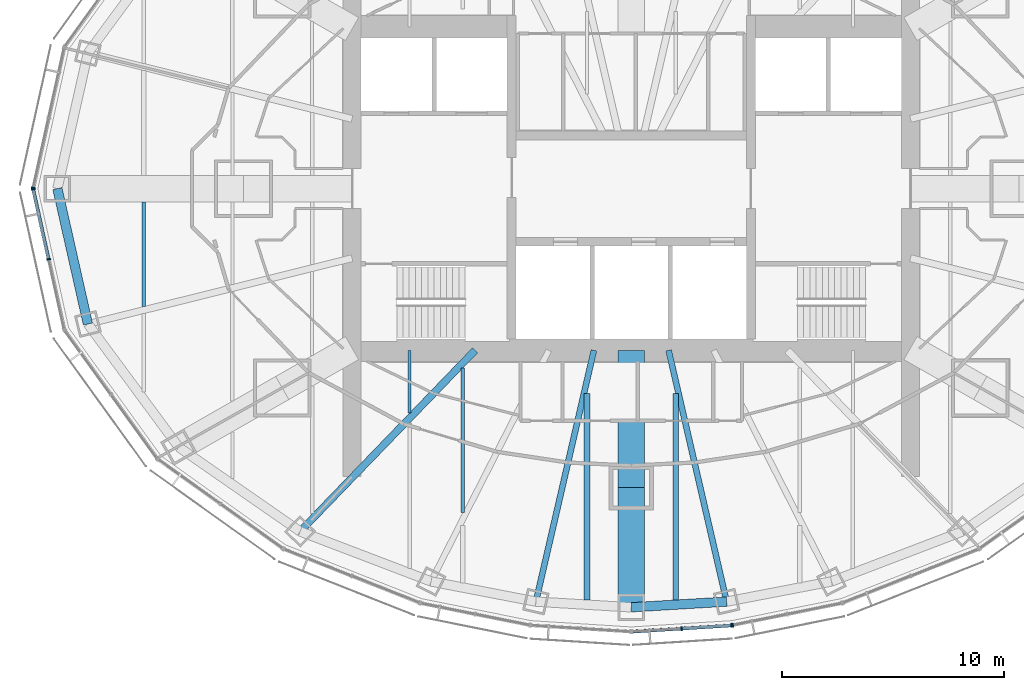
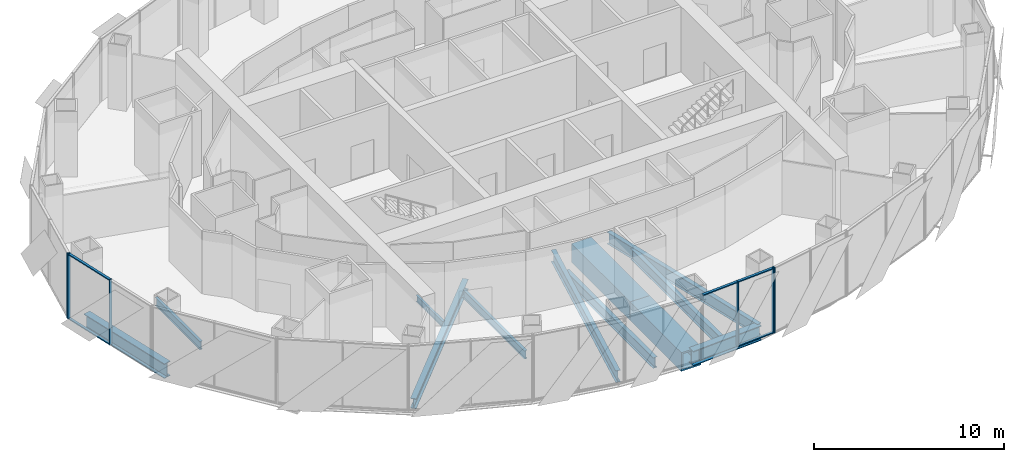
# One storey, part 3 of 17: 12 beams, 11 members, 4 elements without a shape of their own.
"""IFC4 building model written with IfcOpenShell, lengths in metres."""

from ifc_helpers import new_model, si_unit, direction, frame, origin, origin_2d, place, context, subcontext, project, spatial, rectangle, hollow_rectangle, i_section, extrude, material, material_profile, profile_set, type_object, element, aggregate, save


model = new_model("IFC4")

# Units and contexts
model_context = context("Model", 3, precision=1e-05, world=origin(), true_north=direction((0.0, 1.0)))
body_context = subcontext(model_context, "Body", "Model", "MODEL_VIEW")
ifc_project = project(units=[si_unit("LENGTHUNIT", "METRE"), si_unit("AREAUNIT", "SQUARE_METRE"), si_unit("VOLUMEUNIT", "CUBIC_METRE"), si_unit("PLANEANGLEUNIT", "RADIAN"), si_unit("MASSUNIT", "GRAM", prefix="KILO")], contexts=[model_context])

# Site, building, storey
site_placement = place(None, origin())
site = spatial("IfcSite", under=ifc_project, at=site_placement, CompositionType="ELEMENT")
building_placement = place(site_placement, origin())
building = spatial("IfcBuilding", under=site, at=building_placement, Name="Lantaw Convention Tower", CompositionType="ELEMENT")
storey_placement = place(building_placement, frame((0.0, 0.0, 203.199951171875)))
storey = spatial("IfcBuildingStorey", under=building, at=storey_placement, Name="L47", CompositionType="ELEMENT", Elevation=203.199951171875)

# Beams
ifc_material_1 = material(Name="Steel ASTM A992", Category="steel")
ifc_material_profile_1 = material_profile(ifc_material_1, i_section(OverallWidth=0.424072265625, OverallDepth=0.947509765625, WebThickness=0.02392578125, FlangeThickness=0.042724609375, FilletRadius=0.012451171875, at=origin_2d()), Name="W36X302")
ifc_profile_set_1 = profile_set([ifc_material_profile_1], Name="Steel ASTM A992")
beam_type_1 = type_object("IfcBeamType", Name="Beam BC W36X302", PredefinedType="SPANDREL", material=ifc_profile_set_1)
beam_1_placement = place(storey_placement, frame((-25.89990234375, 0.0, -0.623779296875), z_axis=(0.219857926596, -0.97553190215, 0.0), x_axis=(0.97553190215, 0.219857926596, 0.0)))
element("IfcBeam", 1, at=beam_1_placement, inside=storey, type_object=beam_type_1, Name="Belt truss chord 13", PredefinedType="SPANDREL", context=body_context, shape_type="SweptSolid", body=[
    extrude(i_section(OverallWidth=0.424072265625, OverallDepth=0.947509765625, WebThickness=0.02392578125, FlangeThickness=0.042724609375, FilletRadius=0.012451171875, at=origin_2d()), origin(), (0.0, 0.0, 1.0), 6.267333984375),
])
beam_2_placement = place(storey_placement, frame((0.0, -18.89990234375, -0.623779296875), z_axis=(0.998210730897, 0.059794119452, 0.0), x_axis=(-0.059794119452, 0.998210730897, 0.0)))
element("IfcBeam", 2, at=beam_2_placement, inside=storey, type_object=beam_type_1, Name="Belt truss chord 19", PredefinedType="SPANDREL", context=body_context, shape_type="SweptSolid", body=[
    extrude(i_section(OverallWidth=0.424072265625, OverallDepth=0.947509765625, WebThickness=0.02392578125, FlangeThickness=0.042724609375, FilletRadius=0.012451171875, at=origin_2d()), origin(), (0.0, 0.0, 1.0), 4.311767578125),
])
ifc_material_2 = material(Name="Steel EN 10025-3 S460N", Category="steel")
ifc_material_profile_2 = material_profile(ifc_material_2, hollow_rectangle(XDim=1.199951171875, YDim=1.199951171875, WallThickness=0.10009765625, at=origin_2d()), Name="BOX1200X100")
ifc_profile_set_2 = profile_set([ifc_material_profile_2], Name="Steel EN 10025-3 S460N")
beam_type_2 = type_object("IfcBeamType", Name="Beam G BOX1200X100", PredefinedType="BEAM", material=ifc_profile_set_2)
beam_3_placement = place(storey_placement, frame((0.0, -13.5, -0.75), z_axis=(0.0, -1.0, 0.0), x_axis=(1.0, 0.0, 0.0)))
element("IfcBeam", 3, at=beam_3_placement, inside=storey, type_object=beam_type_2, Name="Floor girder on ray 19", PredefinedType="BEAM", context=body_context, shape_type="SweptSolid", body=[
    extrude(hollow_rectangle(XDim=1.199951171875, YDim=1.199951171875, WallThickness=0.10009765625, at=origin_2d()), origin(), (0.0, 0.0, 1.0), 5.39990234375),
])
ifc_material_profile_3 = material_profile(ifc_material_1, i_section(OverallWidth=0.32763671875, OverallDepth=0.64013671875, WebThickness=0.01904296875, FlangeThickness=0.033935546875, FilletRadius=0.0126953125, at=origin_2d()), Name="W24X176")
ifc_profile_set_3 = profile_set([ifc_material_profile_3], Name="Steel ASTM A992")
beam_type_3 = type_object("IfcBeamType", Name="Beam G W24X176", PredefinedType="BEAM", material=ifc_profile_set_3)
beam_4_placement = place(storey_placement, frame((-7.049560546875, -7.300048828125, -0.469970703125), z_axis=(-0.694657766726, -0.719340383356, 0.0), x_axis=(0.719340383356, -0.694657766726, 0.0)))
element("IfcBeam", 4, at=beam_4_placement, inside=storey, type_object=beam_type_3, Name="Floor girder on ray 16", PredefinedType="BEAM", context=body_context, shape_type="SweptSolid", body=[
    extrude(i_section(OverallWidth=0.32763671875, OverallDepth=0.64013671875, WebThickness=0.01904296875, FlangeThickness=0.033935546875, FilletRadius=0.0126953125, at=origin_2d()), origin(), (0.0, 0.0, 1.0), 11.364990234375),
])
ifc_material_profile_4 = material_profile(ifc_material_1, i_section(OverallWidth=0.2666015625, OverallDepth=0.7568359375, WebThickness=0.013916015625, FlangeThickness=0.019287109375, FilletRadius=0.0126953125, at=origin_2d()), Name="W30X108")
ifc_profile_set_4 = profile_set([ifc_material_profile_4], Name="Steel ASTM A992")
beam_type_4 = type_object("IfcBeamType", Name="Beam G W30X108", PredefinedType="BEAM", material=ifc_profile_set_4)
for number, where, z_axis, x_axis, name in (
    (5, (-1.685302734375, -7.300048828125, -0.5283203125), (-0.224962134377, -0.974367506692, 0.0), (0.974367506692, -0.224962134377, 0.0), "Floor girder on ray 18"),
    (6, (1.685302734375, -7.300048828125, -0.5283203125), (0.224962134377, -0.974367506692, 0.0), (0.974367506692, 0.224962134377, 0.0), "Floor girder on ray 20"),
):
    element("IfcBeam", number, at=place(storey_placement, frame(where, z_axis=z_axis, x_axis=x_axis)), inside=storey, type_object=beam_type_4, Name=name, PredefinedType="BEAM", context=body_context, shape_type="SweptSolid", body=[
        extrude(i_section(OverallWidth=0.2666015625, OverallDepth=0.7568359375, WebThickness=0.013916015625, FlangeThickness=0.019287109375, FilletRadius=0.0126953125, at=origin_2d()), origin(), (0.0, 0.0, 1.0), 11.640380859375),
    ])
ifc_material_profile_5 = material_profile(ifc_material_1, i_section(OverallWidth=0.140380859375, OverallDepth=0.40380859375, WebThickness=0.007080078125, FlangeThickness=0.01123046875, FilletRadius=0.01025390625, at=origin_2d()), Name="W16X31")
ifc_profile_set_5 = profile_set([ifc_material_profile_5], Name="Steel ASTM A992")
beam_type_5 = type_object("IfcBeamType", Name="Beam J W16X31", PredefinedType="JOIST", material=ifc_profile_set_5)
beam_5_placement = place(storey_placement, frame((-10.0, -10.119384765625, -0.351806640625), z_axis=(0.0, 1.0, 0.0), x_axis=(-1.0, 0.0, 0.0)))
element("IfcBeam", 7, at=beam_5_placement, inside=storey, type_object=beam_type_5, Name="Floor joist", PredefinedType="JOIST", context=body_context, shape_type="SweptSolid", body=[
    extrude(i_section(OverallWidth=0.140380859375, OverallDepth=0.40380859375, WebThickness=0.007080078125, FlangeThickness=0.01123046875, FilletRadius=0.01025390625, at=origin_2d()), origin(), (0.0, 0.0, 1.0), 2.8193359375),
])
ifc_material_profile_6 = material_profile(ifc_material_1, i_section(OverallWidth=0.1650390625, OverallDepth=0.52587890625, WebThickness=0.0087890625, FlangeThickness=0.011474609375, FilletRadius=0.0126953125, at=origin_2d()), Name="W21X44")
ifc_profile_set_6 = profile_set([ifc_material_profile_6], Name="Steel ASTM A992")
beam_type_6 = type_object("IfcBeamType", Name="Beam J W21X44", PredefinedType="JOIST", material=ifc_profile_set_6)
beam_6_placement = place(storey_placement, frame((-22.0, -5.326904296875, -0.412841796875), z_axis=(0.0, 1.0, 0.0), x_axis=(-1.0, 0.0, 0.0)))
element("IfcBeam", 8, at=beam_6_placement, inside=storey, type_object=beam_type_6, Name="Floor joist", PredefinedType="JOIST", context=body_context, shape_type="SweptSolid", body=[
    extrude(i_section(OverallWidth=0.1650390625, OverallDepth=0.52587890625, WebThickness=0.0087890625, FlangeThickness=0.011474609375, FilletRadius=0.0126953125, at=origin_2d()), origin(), (0.0, 0.0, 1.0), 4.726806640625),
])
beam_7_placement = place(storey_placement, frame((-7.60009765625, -14.6220703125, -0.412841796875), z_axis=(0.0, 1.0, 0.0), x_axis=(-1.0, 0.0, 0.0)))
element("IfcBeam", 9, at=beam_7_placement, inside=storey, type_object=beam_type_6, Name="Floor joist", PredefinedType="JOIST", context=body_context, shape_type="SweptSolid", body=[
    extrude(i_section(OverallWidth=0.1650390625, OverallDepth=0.52587890625, WebThickness=0.0087890625, FlangeThickness=0.011474609375, FilletRadius=0.0126953125, at=origin_2d()), origin(), (0.0, 0.0, 1.0), 6.51611328125),
])
ifc_material_profile_7 = material_profile(ifc_material_1, i_section(OverallWidth=0.25390625, OverallDepth=0.683349609375, WebThickness=0.012451171875, FlangeThickness=0.01904296875, FilletRadius=0.01513671875, at=origin_2d()), Name="W27X94")
ifc_profile_set_7 = profile_set([ifc_material_profile_7], Name="Steel ASTM A992")
beam_type_7 = type_object("IfcBeamType", Name="Beam J W27X94", PredefinedType="JOIST", material=ifc_profile_set_7)
for number, where, z_axis, x_axis, name in (
    (10, (-2.0, -18.567626953125, -0.49169921875), (0.0, 1.0, 0.0), (-1.0, 0.0, 0.0), "Floor joist"),
    (11, (2.0, -18.567626953125, -0.49169921875), (0.0, 1.0, 0.0), (-1.0, 0.0, 0.0), "Floor joist"),
):
    element("IfcBeam", number, at=place(storey_placement, frame(where, z_axis=z_axis, x_axis=x_axis)), inside=storey, type_object=beam_type_7, Name=name, PredefinedType="JOIST", context=body_context, shape_type="SweptSolid", body=[
        extrude(i_section(OverallWidth=0.25390625, OverallDepth=0.683349609375, WebThickness=0.012451171875, FlangeThickness=0.01904296875, FilletRadius=0.01513671875, at=origin_2d()), origin(), (0.0, 0.0, 1.0), 9.311767578125),
    ])
ifc_material_profile_8 = material_profile(ifc_material_2, hollow_rectangle(XDim=1.199951171875, YDim=1.199951171875, WallThickness=0.10009765625, at=origin_2d()), Name="BOX1200X100")
ifc_profile_set_8 = profile_set([ifc_material_profile_8], Name="Steel EN 10025-3 S460N")
beam_type_8 = type_object("IfcBeamType", Name="Beam OC BOX1200X100", PredefinedType="BEAM", material=ifc_profile_set_8)
beam_8_placement = place(storey_placement, frame((0.0, -7.300048828125, -0.75), z_axis=(0.0, -1.0, 0.0), x_axis=(1.0, 0.0, 0.0)))
element("IfcBeam", 12, at=beam_8_placement, inside=storey, type_object=beam_type_8, Name="Outrigger chord on ray 19", PredefinedType="BEAM", context=body_context, shape_type="SweptSolid", body=[
    extrude(hollow_rectangle(XDim=1.199951171875, YDim=1.199951171875, WallThickness=0.10009765625, at=origin_2d()), origin(), (0.0, 0.0, 1.0), 6.199951171875),
])

# Curtain wall, member
ifc_material_3 = material(Name="Aluminium framed curtain wall", Category="aluminium")
curtain_wall_type = type_object("IfcCurtainWallType", Name="Office curtain wall high rise, pale aluminium", PredefinedType="USERDEFINED", material=ifc_material_3)
curtain_wall_1_placement = place(storey_placement, origin())
curtain_wall_1 = element("IfcCurtainWall", 13, at=curtain_wall_1_placement, inside=storey, type_object=curtain_wall_type, Name="Office curtain wall high rise, pale aluminium L47", ObjectType="UNITISED CURTAIN WALL", PredefinedType="USERDEFINED")
ifc_material_4 = material(Name="Aluminium 6063-T6", Category="aluminium")
ifc_material_profile_9 = material_profile(ifc_material_4, rectangle(XDim=0.179931640625, YDim=0.06494140625, at=origin_2d()), Name="CW-O2 mullion 65x180")
ifc_profile_set_9 = profile_set([ifc_material_profile_9], Name="Aluminium 6063-T6")
member_type_1 = type_object("IfcMemberType", Name="CW-O2 mullion 65x180", PredefinedType="MULLION", material=ifc_profile_set_9)
member_1_placement = place(storey_placement, frame((-26.992919921875, 0.03173828125, -0.14990234375), z_axis=(0.0, 0.0, 1.0), x_axis=(0.976417396437, -0.215891333626, 0.0)))
member_1 = element("IfcMember", 14, at=member_1_placement, type_object=member_type_1, Name="CW-O2 mullion 3", PredefinedType="MULLION", context=body_context, shape_type="SweptSolid", body=[
    extrude(rectangle(XDim=0.179931640625, YDim=0.06494140625, at=origin_2d()), origin(), (0.0, 0.0, 1.0), 4.199951171875),
])
aggregate(curtain_wall_1, [member_1])

# Curtain wall, members
curtain_wall_2_placement = place(storey_placement, origin())
curtain_wall_2 = element("IfcCurtainWall", 15, at=curtain_wall_2_placement, inside=storey, type_object=curtain_wall_type, Name="Office curtain wall high rise, pale aluminium L47", ObjectType="UNITISED CURTAIN WALL", PredefinedType="USERDEFINED")
member_2_placement = place(storey_placement, frame((-26.992919921875, -0.03173828125, -0.14990234375), z_axis=(0.0, 0.0, 1.0), x_axis=(0.976417396437, 0.215891333626, 0.0)))
member_2 = element("IfcMember", 16, at=member_2_placement, type_object=member_type_1, Name="CW-O2 mullion 1", PredefinedType="MULLION", context=body_context, shape_type="SweptSolid", body=[
    extrude(rectangle(XDim=0.179931640625, YDim=0.06494140625, at=origin_2d()), origin(), (0.0, 0.0, 1.0), 4.199951171875),
])
member_3_placement = place(storey_placement, frame((-26.294677734375, -3.190185546875, -0.14990234375), z_axis=(0.0, 0.0, 1.0), x_axis=(0.976417396437, 0.215891333626, 0.0)))
member_3 = element("IfcMember", 17, at=member_3_placement, type_object=member_type_1, Name="CW-O2 mullion 2", PredefinedType="MULLION", context=body_context, shape_type="SweptSolid", body=[
    extrude(rectangle(XDim=0.179931640625, YDim=0.06494140625, at=origin_2d()), origin(), (0.0, 0.0, 1.0), 4.199951171875),
])

curtain_wall_3_placement = place(storey_placement, origin())
curtain_wall_3 = element("IfcCurtainWall", 18, at=curtain_wall_3_placement, inside=storey, type_object=curtain_wall_type, Name="Office curtain wall high rise, pale aluminium L47", ObjectType="UNITISED CURTAIN WALL", PredefinedType="USERDEFINED")
member_4_placement = place(storey_placement, frame((2.275634765625, -19.85693359375, -0.14990234375), z_axis=(0.0, 0.0, 1.0), x_axis=(-0.062757983884, 0.998028774865, 0.0)))
member_4 = element("IfcMember", 19, at=member_4_placement, type_object=member_type_1, Name="CW-O2 mullion 2", PredefinedType="MULLION", context=body_context, shape_type="SweptSolid", body=[
    extrude(rectangle(XDim=0.179931640625, YDim=0.06494140625, at=origin_2d()), origin(), (0.0, 0.0, 1.0), 4.199951171875),
])
member_5_placement = place(storey_placement, frame((4.518798828125, -19.7158203125, -0.14990234375), z_axis=(0.0, 0.0, 1.0), x_axis=(-0.062757983884, 0.998028774865, 0.0)))
member_5 = element("IfcMember", 20, at=member_5_placement, type_object=member_type_1, Name="CW-O2 mullion 3", PredefinedType="MULLION", context=body_context, shape_type="SweptSolid", body=[
    extrude(rectangle(XDim=0.179931640625, YDim=0.06494140625, at=origin_2d()), origin(), (0.0, 0.0, 1.0), 4.199951171875),
])

# Curtain wall, member
curtain_wall_4_placement = place(storey_placement, origin())
curtain_wall_4 = element("IfcCurtainWall", 21, at=curtain_wall_4_placement, inside=storey, type_object=curtain_wall_type, Name="Office curtain wall high rise, pale aluminium L47", ObjectType="UNITISED CURTAIN WALL", PredefinedType="USERDEFINED")
member_6_placement = place(storey_placement, frame((4.583251953125, -19.70751953125, -0.14990234375), z_axis=(0.0, 0.0, 1.0), x_axis=(-0.197183095987, 0.980366679695, 0.0)))
member_6 = element("IfcMember", 22, at=member_6_placement, type_object=member_type_1, Name="CW-O2 mullion 1", PredefinedType="MULLION", context=body_context, shape_type="SweptSolid", body=[
    extrude(rectangle(XDim=0.179931640625, YDim=0.06494140625, at=origin_2d()), origin(), (0.0, 0.0, 1.0), 4.199951171875),
])
aggregate(curtain_wall_4, [member_6])

# Member
ifc_material_profile_10 = material_profile(ifc_material_4, rectangle(XDim=0.14990234375, YDim=0.06494140625, at=origin_2d()), Name="CW-O2 transom 65x150")
ifc_profile_set_10 = profile_set([ifc_material_profile_10], Name="Aluminium 6063-T6")
member_type_2 = type_object("IfcMemberType", Name="CW-O2 transom 65x150", PredefinedType="USERDEFINED", material=ifc_profile_set_10)
member_7_placement = place(storey_placement, frame((-26.986083984375, -0.0634765625, -0.117431640625), z_axis=(0.215894607042, -0.976416672661, 0.0), x_axis=(0.976416672661, 0.215894607042, 0.0)))
member_7 = element("IfcMember", 23, at=member_7_placement, type_object=member_type_2, Name="CW-O2 transom 1.1", ObjectType="TRANSOM", PredefinedType="USERDEFINED", context=body_context, shape_type="SweptSolid", body=[
    extrude(rectangle(XDim=0.14990234375, YDim=0.06494140625, at=origin_2d()), origin(), (0.0, 0.0, 1.0), 3.169677734375),
])

member_8_placement = place(storey_placement, frame((-26.986083984375, -0.0634765625, 4.017578125), z_axis=(0.215894607042, -0.976416672661, 0.0), x_axis=(0.976416672661, 0.215894607042, 0.0)))
member_8 = element("IfcMember", 24, at=member_8_placement, type_object=member_type_2, Name="CW-O2 transom 1.2", ObjectType="TRANSOM", PredefinedType="USERDEFINED", context=body_context, shape_type="SweptSolid", body=[
    extrude(rectangle(XDim=0.14990234375, YDim=0.06494140625, at=origin_2d()), origin(), (0.0, 0.0, 1.0), 3.169677734375),
])

aggregate(curtain_wall_2, [member_2, member_3, member_7, member_8])

member_9_placement = place(storey_placement, frame((0.06494140625, -19.995849609375, 4.017578125), z_axis=(0.998029003644, 0.062754345555, 0.0), x_axis=(-0.062754345555, 0.998029003644, 0.0)))
member_9 = element("IfcMember", 25, at=member_9_placement, type_object=member_type_2, Name="CW-O2 transom 1.2", ObjectType="TRANSOM", PredefinedType="USERDEFINED", context=body_context, shape_type="SweptSolid", body=[
    extrude(rectangle(XDim=0.14990234375, YDim=0.06494140625, at=origin_2d()), origin(), (0.0, 0.0, 1.0), 2.1826171875),
])

member_10_placement = place(storey_placement, frame((2.30810546875, -19.85498046875, -0.117431640625), z_axis=(0.998021991509, 0.062865765437, 0.0), x_axis=(-0.062865765437, 0.998021991509, 0.0)))
member_10 = element("IfcMember", 26, at=member_10_placement, type_object=member_type_2, Name="CW-O2 transom 2.1", ObjectType="TRANSOM", PredefinedType="USERDEFINED", context=body_context, shape_type="SweptSolid", body=[
    extrude(rectangle(XDim=0.14990234375, YDim=0.06494140625, at=origin_2d()), origin(), (0.0, 0.0, 1.0), 2.1826171875),
])

member_11_placement = place(storey_placement, frame((2.30810546875, -19.85498046875, 4.017578125), z_axis=(0.998021991509, 0.062865765437, 0.0), x_axis=(-0.062865765437, 0.998021991509, 0.0)))
member_11 = element("IfcMember", 27, at=member_11_placement, type_object=member_type_2, Name="CW-O2 transom 2.2", ObjectType="TRANSOM", PredefinedType="USERDEFINED", context=body_context, shape_type="SweptSolid", body=[
    extrude(rectangle(XDim=0.14990234375, YDim=0.06494140625, at=origin_2d()), origin(), (0.0, 0.0, 1.0), 2.1826171875),
])

aggregate(curtain_wall_3, [member_4, member_5, member_9, member_10, member_11])

save(model, "model.ifc")
